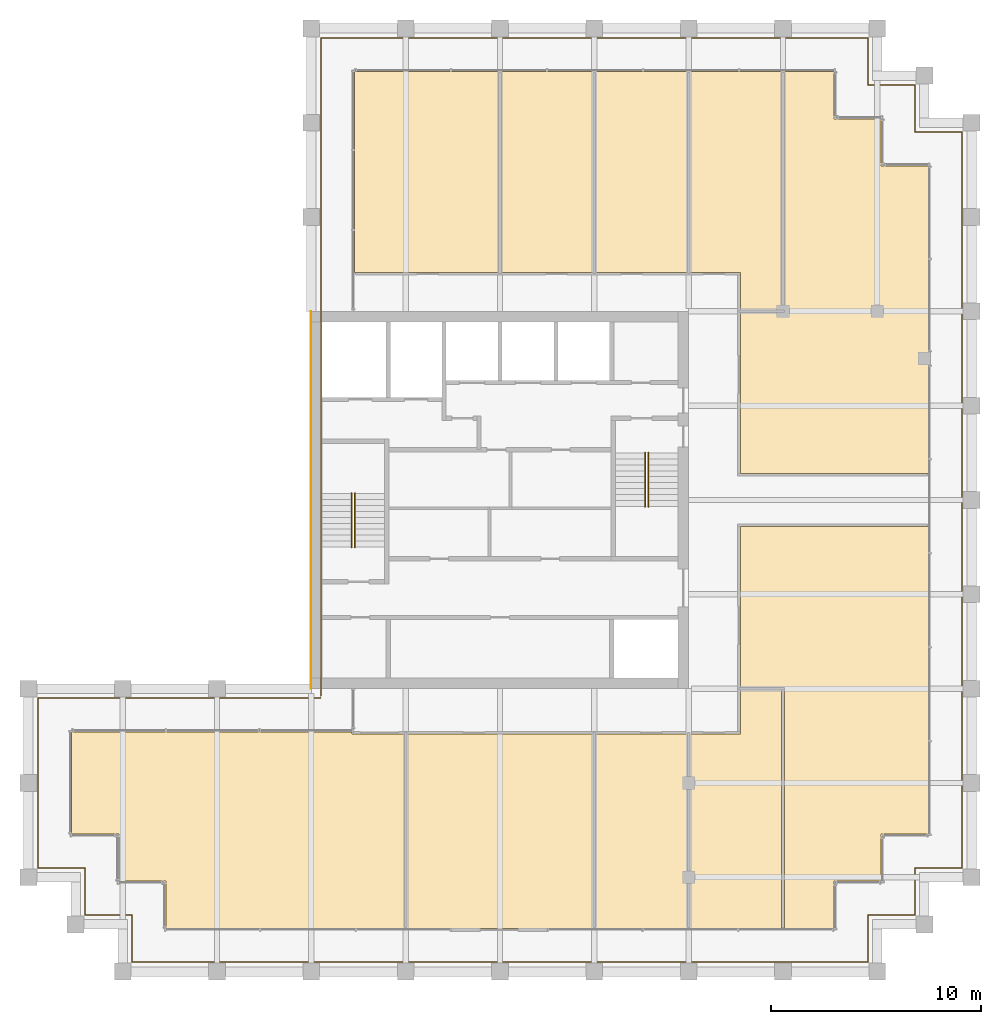
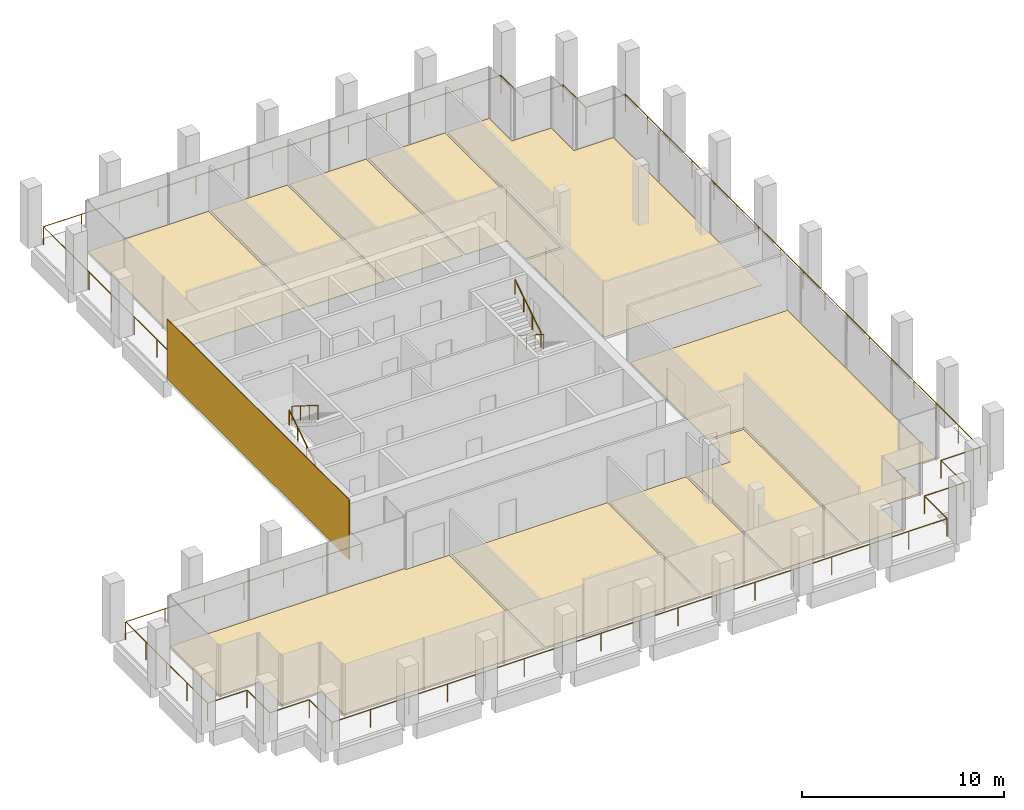
# One storey, part 30 of 30: 11 coverings, 5 railings.
"""IFC4 building model written with IfcOpenShell, lengths in metres."""

from ifc_helpers import new_model, si_unit, direction, frame, origin, origin_2d, place, context, subcontext, project, spatial, polyline, rectangle, circle, outline, extrude, source, transform, mapped, material, layer, layer_set, type_object, element, save


model = new_model("IFC4")

# Units and contexts
model_context = context("Model", 3, precision=1e-05, world=origin(), true_north=direction((0.0, 1.0)))
body_context = subcontext(model_context, "Body", "Model", "MODEL_VIEW")
ifc_project = project(units=[si_unit("LENGTHUNIT", "METRE"), si_unit("AREAUNIT", "SQUARE_METRE"), si_unit("VOLUMEUNIT", "CUBIC_METRE"), si_unit("PLANEANGLEUNIT", "RADIAN"), si_unit("MASSUNIT", "GRAM", prefix="KILO")], contexts=[model_context])

# Site, building, storey
site_placement = place(None, origin())
site = spatial("IfcSite", under=ifc_project, at=site_placement, CompositionType="ELEMENT")
building_placement = place(site_placement, origin())
building = spatial("IfcBuilding", under=site, at=building_placement, Name="Altepetl Exchange Towers", CompositionType="ELEMENT")
storey_placement = place(building_placement, frame((0.0, 0.0, 220.800048828125)))
storey = spatial("IfcBuildingStorey", under=building, at=storey_placement, Name="L56", CompositionType="ELEMENT", Elevation=220.800048828125)

# Coverings
ifc_material_1 = material(Name="Carpet tile")
ifc_layer_1 = layer(ifc_material_1, 0.02001953125)
ifc_layer_set_1 = layer_set([ifc_layer_1], Name="Carpet tile")
covering_type_1 = type_object("IfcCoveringType", Name="Carpet tile floor", PredefinedType="FLOORING", material=ifc_layer_set_1)
covering_1_placement = place(storey_placement, origin())
element("IfcCovering", 1, at=covering_1_placement, inside=storey, type_object=covering_type_1, Name="Fund office floor finish A56.01", PredefinedType="FLOORING", context=body_context, shape_type="SweptSolid", body=[
    extrude(outline(polyline([(33.5625, 29.0625), (44.9375, 29.0625), (44.9375, 38.33740234375), (42.4375, 38.33740234375), (42.4375, 38.4375), (29.0625, 38.4375), (29.0625, 33.5625), (31.3125, 33.5625), (31.3125, 31.3125), (33.5625, 31.3125), (33.5625, 29.0625)])), origin(), (0.0, 0.0, 1.0), 0.02001953125),
])
covering_2_placement = place(storey_placement, origin())
element("IfcCovering", 2, at=covering_2_placement, inside=storey, type_object=covering_type_1, Name="Pantry floor finish A56.03", PredefinedType="FLOORING", context=body_context, shape_type="SweptSolid", body=[
    extrude(outline(polyline([(58.4375, 29.0625), (58.4375, 38.33740234375), (54.0625, 38.33740234375), (54.0625, 29.0625), (58.4375, 29.0625)])), origin(), (0.0, 0.0, 1.0), 0.02001953125),
])
covering_3_placement = place(storey_placement, origin())
element("IfcCovering", 3, at=covering_3_placement, inside=storey, type_object=covering_type_1, Name="Fund office floor finish A56.06", PredefinedType="FLOORING", context=body_context, shape_type="SweptSolid", body=[
    extrude(outline(polyline([(60.96240234375, 50.762451171875), (69.9375, 50.762451171875), (69.9375, 65.4375), (67.6875, 65.4375), (67.6875, 67.6875), (65.4375, 67.6875), (65.4375, 69.9375), (63.0625, 69.9375), (63.0625, 58.4375), (60.96240234375, 58.4375), (60.96240234375, 50.762451171875)])), origin(), (0.0, 0.0, 1.0), 0.02001953125),
])
covering_4_placement = place(storey_placement, origin())
element("IfcCovering", 4, at=covering_4_placement, inside=storey, type_object=covering_type_1, Name="Training room floor finish A56.07", PredefinedType="FLOORING", context=body_context, shape_type="SweptSolid", body=[
    extrude(outline(polyline([(60.96240234375, 58.5625), (62.9375, 58.5625), (62.9375, 69.9375), (58.5625, 69.9375), (58.5625, 60.362548828125), (60.96240234375, 60.362548828125), (60.96240234375, 58.5625)])), origin(), (0.0, 0.0, 1.0), 0.02001953125),
])
covering_5_placement = place(storey_placement, origin())
element("IfcCovering", 5, at=covering_5_placement, inside=storey, type_object=covering_type_1, Name="Meeting room floor finish A56.08", PredefinedType="FLOORING", context=body_context, shape_type="SweptSolid", body=[
    extrude(outline(polyline([(58.4375, 60.362548828125), (58.4375, 69.9375), (54.0625, 69.9375), (54.0625, 60.362548828125), (58.4375, 60.362548828125)])), origin(), (0.0, 0.0, 1.0), 0.02001953125),
])
covering_6_placement = place(storey_placement, origin())
element("IfcCovering", 6, at=covering_6_placement, inside=storey, type_object=covering_type_1, Name="Conference room floor finish A56.10", PredefinedType="FLOORING", context=body_context, shape_type="SweptSolid", body=[
    extrude(outline(polyline([(49.4375, 60.362548828125), (49.4375, 69.9375), (42.5625, 69.9375), (42.5625, 60.362548828125), (49.4375, 60.362548828125)])), origin(), (0.0, 0.0, 1.0), 0.02001953125),
])
ifc_material_2 = material(Name="Cantera stone", Category="masonry")
ifc_layer_2 = layer(ifc_material_2, 0.030029296875)
ifc_layer_set_2 = layer_set([ifc_layer_2], Name="Cantera stone")
covering_type_2 = type_object("IfcCoveringType", Name="Polished stone floor", PredefinedType="FLOORING", material=ifc_layer_set_2)
covering_7_placement = place(storey_placement, origin())
element("IfcCovering", 7, at=covering_7_placement, inside=storey, type_object=covering_type_2, Name="Staff club floor finish A56.02", PredefinedType="FLOORING", context=body_context, shape_type="SweptSolid", body=[
    extrude(outline(polyline([(53.9375, 29.0625), (53.9375, 38.33740234375), (45.0625, 38.33740234375), (45.0625, 29.0625), (53.9375, 29.0625)])), origin(), (0.0, 0.0, 1.0), 0.030029296875),
])
covering_8_placement = place(storey_placement, origin())
element("IfcCovering", 8, at=covering_8_placement, inside=storey, type_object=covering_type_2, Name="Boardroom floor finish A56.04", PredefinedType="FLOORING", context=body_context, shape_type="SweptSolid", body=[
    extrude(outline(polyline([(62.9375, 29.0625), (62.9375, 40.4375), (60.96240234375, 40.4375), (60.96240234375, 38.33740234375), (58.5625, 38.33740234375), (58.5625, 29.0625), (62.9375, 29.0625)])), origin(), (0.0, 0.0, 1.0), 0.030029296875),
])
covering_9_placement = place(storey_placement, origin())
element("IfcCovering", 9, at=covering_9_placement, inside=storey, type_object=covering_type_2, Name="Cafe floor finish A56.05", PredefinedType="FLOORING", context=body_context, shape_type="SweptSolid", body=[
    extrude(outline(polyline([(67.6875, 31.3125), (67.6875, 33.5625), (69.9375, 33.5625), (69.9375, 48.237548828125), (60.96240234375, 48.237548828125), (60.96240234375, 40.5625), (63.0625, 40.5625), (63.0625, 29.0625), (65.4375, 29.0625), (65.4375, 31.3125), (67.6875, 31.3125)])), origin(), (0.0, 0.0, 1.0), 0.030029296875),
])
covering_10_placement = place(storey_placement, origin())
element("IfcCovering", 10, at=covering_10_placement, inside=storey, type_object=covering_type_2, Name="Lounge floor finish A56.09", PredefinedType="FLOORING", context=body_context, shape_type="SweptSolid", body=[
    extrude(outline(polyline([(53.9375, 60.362548828125), (53.9375, 69.9375), (49.5625, 69.9375), (49.5625, 60.362548828125), (53.9375, 60.362548828125)])), origin(), (0.0, 0.0, 1.0), 0.030029296875),
])
ifc_material_3 = material(Name="Cantera limestone cladding", Category="masonry")
ifc_layer_3 = layer(ifc_material_3, 0.0400390625)
ifc_layer_set_3 = layer_set([ifc_layer_3], Name="Cantera limestone cladding")
covering_type_3 = type_object("IfcCoveringType", Name="Stone panel 40 cantera", PredefinedType="CLADDING", material=ifc_layer_set_3)
covering_11_placement = place(storey_placement, frame((40.47998046875, 49.5, 0.0), z_axis=(0.0, 0.0, 1.0), x_axis=(0.0, -1.0, 0.0)))
element("IfcCovering", 11, at=covering_11_placement, inside=storey, type_object=covering_type_3, Name="Stone cladding panel", PredefinedType="CLADDING", context=body_context, shape_type="SweptSolid", body=[
    extrude(rectangle(XDim=18.0, YDim=0.0400390625, at=origin_2d()), origin(), (0.0, 0.0, 1.0), 3.60009765625),
])

# Railings
ifc_material_4 = material(Name="Steel S355", Category="steel")
railing_type_1 = type_object("IfcRailingType", Name="Guard 1100 steel posts and rail", PredefinedType="GUARDRAIL", material=ifc_material_4)
shared_shape_1 = source(origin(), body_context, "Body", "SweptSolid", [
    extrude(circle(Radius=0.02099609375, at=origin_2d()), origin(), (0.0, 0.0, 1.0), 1.052001953125),
])
railing_1_placement = place(storey_placement, frame((40.949951171875, 40.050048828125, 0.0)))
element("IfcRailing", 12, at=railing_1_placement, inside=storey, type_object=railing_type_1, Name="Loggia guard", PredefinedType="GUARDRAIL", context=body_context, shape_type="SweptSolid", body=[
    extrude(circle(Radius=0.02392578125, at=origin_2d()), frame((0.0, 0.0, 1.076171875), z_axis=(-1.0, 0.0, 0.0), x_axis=(0.0, -1.0, 0.0)), (0.0, 0.0, 1.0), 13.5),
    extrude(circle(Radius=0.02392578125, at=origin_2d()), frame((-13.5, 0.0, 1.076171875), z_axis=(0.0, -1.0, 0.0), x_axis=(1.0, 0.0, 0.0)), (0.0, 0.0, 1.0), 8.10009765625),
    extrude(circle(Radius=0.02392578125, at=origin_2d()), frame((-13.5, -8.10009765625, 1.076171875), z_axis=(1.0, 0.0, 0.0), x_axis=(0.0, 1.0, 0.0)), (0.0, 0.0, 1.0), 2.25),
    extrude(circle(Radius=0.02392578125, at=origin_2d()), frame((-11.25, -8.10009765625, 1.076171875), z_axis=(0.0, -1.0, 0.0), x_axis=(1.0, 0.0, 0.0)), (0.0, 0.0, 1.0), 2.25),
    extrude(circle(Radius=0.02392578125, at=origin_2d()), frame((-11.25, -10.35009765625, 1.076171875), z_axis=(1.0, 0.0, 0.0), x_axis=(0.0, 1.0, 0.0)), (0.0, 0.0, 1.0), 2.25),
    extrude(circle(Radius=0.02392578125, at=origin_2d()), frame((-9.0, -10.35009765625, 1.076171875), z_axis=(0.0, -1.0, 0.0), x_axis=(1.0, 0.0, 0.0)), (0.0, 0.0, 1.0), 2.25),
    extrude(circle(Radius=0.02392578125, at=origin_2d()), frame((-9.0, -12.60009765625, 1.076171875), z_axis=(1.0, 0.0, 0.0), x_axis=(0.0, 1.0, 0.0)), (0.0, 0.0, 1.0), 35.10009765625),
    extrude(circle(Radius=0.02392578125, at=origin_2d()), frame((26.10009765625, -12.60009765625, 1.076171875), z_axis=(0.0, 1.0, 0.0), x_axis=(-1.0, 0.0, 0.0)), (0.0, 0.0, 1.0), 2.25),
    extrude(circle(Radius=0.02392578125, at=origin_2d()), frame((26.10009765625, -10.35009765625, 1.076171875), z_axis=(1.0, 0.0, 0.0), x_axis=(0.0, 1.0, 0.0)), (0.0, 0.0, 1.0), 2.25),
    extrude(circle(Radius=0.02392578125, at=origin_2d()), frame((28.35009765625, -10.35009765625, 1.076171875), z_axis=(0.0, 1.0, 0.0), x_axis=(-1.0, 0.0, 0.0)), (0.0, 0.0, 1.0), 2.25),
    extrude(circle(Radius=0.02392578125, at=origin_2d()), frame((28.35009765625, -8.10009765625, 1.076171875), z_axis=(1.0, 0.0, 0.0), x_axis=(0.0, 1.0, 0.0)), (0.0, 0.0, 1.0), 2.25),
    extrude(circle(Radius=0.02392578125, at=origin_2d()), frame((30.60009765625, -8.10009765625, 1.076171875), z_axis=(0.0, 1.0, 0.0), x_axis=(-1.0, 0.0, 0.0)), (0.0, 0.0, 1.0), 35.10009765625),
    extrude(circle(Radius=0.02392578125, at=origin_2d()), frame((30.60009765625, 27.0, 1.076171875), z_axis=(-1.0, 0.0, 0.0), x_axis=(0.0, -1.0, 0.0)), (0.0, 0.0, 1.0), 2.25),
    extrude(circle(Radius=0.02392578125, at=origin_2d()), frame((28.35009765625, 27.0, 1.076171875), z_axis=(0.0, 1.0, 0.0), x_axis=(-1.0, 0.0, 0.0)), (0.0, 0.0, 1.0), 2.25),
    extrude(circle(Radius=0.02392578125, at=origin_2d()), frame((28.35009765625, 29.25, 1.076171875), z_axis=(-1.0, 0.0, 0.0), x_axis=(0.0, -1.0, 0.0)), (0.0, 0.0, 1.0), 2.25),
    extrude(circle(Radius=0.02392578125, at=origin_2d()), frame((26.10009765625, 29.25, 1.076171875), z_axis=(0.0, 1.0, 0.0), x_axis=(-1.0, 0.0, 0.0)), (0.0, 0.0, 1.0), 2.25),
    extrude(circle(Radius=0.02392578125, at=origin_2d()), frame((26.10009765625, 31.5, 1.076171875), z_axis=(-1.0, 0.0, 0.0), x_axis=(0.0, -1.0, 0.0)), (0.0, 0.0, 1.0), 26.10009765625),
    extrude(circle(Radius=0.02392578125, at=origin_2d()), frame((0.0, 31.5, 1.076171875), z_axis=(0.0, -1.0, 0.0), x_axis=(1.0, 0.0, 0.0)), (0.0, 0.0, 1.0), 31.400146484375),
    mapped(shared_shape_1, transform((0.0, 0.0, 0.0))),
    mapped(shared_shape_1, transform((-2.25, 0.0, 0.0))),
    mapped(shared_shape_1, transform((-4.5, 0.0, 0.0))),
    mapped(shared_shape_1, transform((-6.75, 0.0, 0.0))),
    mapped(shared_shape_1, transform((-9.0, 0.0, 0.0))),
    mapped(shared_shape_1, transform((-11.25, 0.0, 0.0))),
    mapped(shared_shape_1, transform((-13.5, 0.0, 0.0))),
    mapped(shared_shape_1, transform((-13.5, -2.02490234375, 0.0))),
    mapped(shared_shape_1, transform((-13.5, -4.050048828125, 0.0))),
    mapped(shared_shape_1, transform((-13.5, -6.0751953125, 0.0))),
    mapped(shared_shape_1, transform((-13.5, -8.10009765625, 0.0))),
    mapped(shared_shape_1, transform((-11.25, -8.10009765625, 0.0))),
    mapped(shared_shape_1, transform((-11.25, -10.35009765625, 0.0))),
    mapped(shared_shape_1, transform((-9.0, -10.35009765625, 0.0))),
    mapped(shared_shape_1, transform((-9.0, -12.60009765625, 0.0))),
    mapped(shared_shape_1, transform((-6.80615234375, -12.60009765625, 0.0))),
    mapped(shared_shape_1, transform((-4.612548828125, -12.60009765625, 0.0))),
    mapped(shared_shape_1, transform((-2.418701171875, -12.60009765625, 0.0))),
    mapped(shared_shape_1, transform((-0.22509765625, -12.60009765625, 0.0))),
    mapped(shared_shape_1, transform((1.96875, -12.60009765625, 0.0))),
    mapped(shared_shape_1, transform((4.16259765625, -12.60009765625, 0.0))),
    mapped(shared_shape_1, transform((6.356201171875, -12.60009765625, 0.0))),
    mapped(shared_shape_1, transform((8.550048828125, -12.60009765625, 0.0))),
    mapped(shared_shape_1, transform((10.743896484375, -12.60009765625, 0.0))),
    mapped(shared_shape_1, transform((12.9375, -12.60009765625, 0.0))),
    mapped(shared_shape_1, transform((15.13134765625, -12.60009765625, 0.0))),
    mapped(shared_shape_1, transform((17.3251953125, -12.60009765625, 0.0))),
    mapped(shared_shape_1, transform((19.518798828125, -12.60009765625, 0.0))),
    mapped(shared_shape_1, transform((21.712646484375, -12.60009765625, 0.0))),
    mapped(shared_shape_1, transform((23.90625, -12.60009765625, 0.0))),
    mapped(shared_shape_1, transform((26.10009765625, -12.60009765625, 0.0))),
    mapped(shared_shape_1, transform((26.10009765625, -10.35009765625, 0.0))),
    mapped(shared_shape_1, transform((28.35009765625, -10.35009765625, 0.0))),
    mapped(shared_shape_1, transform((28.35009765625, -8.10009765625, 0.0))),
    mapped(shared_shape_1, transform((30.60009765625, -8.10009765625, 0.0))),
    mapped(shared_shape_1, transform((30.60009765625, -5.90625, 0.0))),
    mapped(shared_shape_1, transform((30.60009765625, -3.712646484375, 0.0))),
    mapped(shared_shape_1, transform((30.60009765625, -1.518798828125, 0.0))),
    mapped(shared_shape_1, transform((30.60009765625, 0.6748046875, 0.0))),
    mapped(shared_shape_1, transform((30.60009765625, 2.86865234375, 0.0))),
    mapped(shared_shape_1, transform((30.60009765625, 5.0625, 0.0))),
    mapped(shared_shape_1, transform((30.60009765625, 7.256103515625, 0.0))),
    mapped(shared_shape_1, transform((30.60009765625, 9.449951171875, 0.0))),
    mapped(shared_shape_1, transform((30.60009765625, 11.643798828125, 0.0))),
    mapped(shared_shape_1, transform((30.60009765625, 13.83740234375, 0.0))),
    mapped(shared_shape_1, transform((30.60009765625, 16.03125, 0.0))),
    mapped(shared_shape_1, transform((30.60009765625, 18.22509765625, 0.0))),
    mapped(shared_shape_1, transform((30.60009765625, 20.418701171875, 0.0))),
    mapped(shared_shape_1, transform((30.60009765625, 22.612548828125, 0.0))),
    mapped(shared_shape_1, transform((30.60009765625, 24.80615234375, 0.0))),
    mapped(shared_shape_1, transform((30.60009765625, 27.0, 0.0))),
    mapped(shared_shape_1, transform((28.35009765625, 27.0, 0.0))),
    mapped(shared_shape_1, transform((28.35009765625, 29.25, 0.0))),
    mapped(shared_shape_1, transform((26.10009765625, 29.25, 0.0))),
    mapped(shared_shape_1, transform((26.10009765625, 31.5, 0.0))),
    mapped(shared_shape_1, transform((23.925048828125, 31.5, 0.0))),
    mapped(shared_shape_1, transform((21.75, 31.5, 0.0))),
    mapped(shared_shape_1, transform((19.5751953125, 31.5, 0.0))),
    mapped(shared_shape_1, transform((17.400146484375, 31.5, 0.0))),
    mapped(shared_shape_1, transform((15.22509765625, 31.5, 0.0))),
    mapped(shared_shape_1, transform((13.050048828125, 31.5, 0.0))),
    mapped(shared_shape_1, transform((10.875, 31.5, 0.0))),
    mapped(shared_shape_1, transform((8.699951171875, 31.5, 0.0))),
    mapped(shared_shape_1, transform((6.52490234375, 31.5, 0.0))),
    mapped(shared_shape_1, transform((4.35009765625, 31.5, 0.0))),
    mapped(shared_shape_1, transform((2.175048828125, 31.5, 0.0))),
    mapped(shared_shape_1, transform((0.0, 31.5, 0.0))),
    mapped(shared_shape_1, transform((0.0, 29.257080078125, 0.0))),
    mapped(shared_shape_1, transform((0.0, 27.01416015625, 0.0))),
    mapped(shared_shape_1, transform((0.0, 24.771484375, 0.0))),
    mapped(shared_shape_1, transform((0.0, 22.528564453125, 0.0))),
    mapped(shared_shape_1, transform((0.0, 20.28564453125, 0.0))),
    mapped(shared_shape_1, transform((0.0, 18.042724609375, 0.0))),
    mapped(shared_shape_1, transform((0.0, 15.7998046875, 0.0))),
    mapped(shared_shape_1, transform((0.0, 13.55712890625, 0.0))),
    mapped(shared_shape_1, transform((0.0, 11.314208984375, 0.0))),
    mapped(shared_shape_1, transform((0.0, 9.0712890625, 0.0))),
    mapped(shared_shape_1, transform((0.0, 6.828369140625, 0.0))),
    mapped(shared_shape_1, transform((0.0, 4.585693359375, 0.0))),
    mapped(shared_shape_1, transform((0.0, 2.3427734375, 0.0))),
    mapped(shared_shape_1, transform((0.0, 0.099853515625, 0.0))),
])
ifc_material_5 = material(Name="Steel", Category="steel")
railing_type_2 = type_object("IfcRailingType", Name="Stair handrail 50 steel tube", PredefinedType="HANDRAIL", material=ifc_material_5)
shared_shape_2 = source(origin(), body_context, "Body", "SweptSolid", [
    extrude(circle(Radius=0.02099609375, at=origin_2d()), origin(), (0.0, 0.0, 1.0), 0.851806640625),
])
railing_2_placement = place(storey_placement, frame((42.419921875, 47.25, 0.179931640625)))
element("IfcRailing", 13, at=railing_2_placement, inside=storey, type_object=railing_type_2, Name="Stair handrail", PredefinedType="HANDRAIL", context=body_context, shape_type="SweptSolid", body=[
    extrude(circle(Radius=0.02392578125, at=origin_2d()), frame((0.0, 0.0, 0.8759765625), z_axis=(0.0, 0.845465955043, 0.534029323973), x_axis=(-1.0, 0.0, 0.0)), (0.0, 0.0, 1.0), 3.03369140625),
    mapped(shared_shape_2, transform((0.0, 0.0, 0.0))),
    mapped(shared_shape_2, transform((0.0, 0.85498046875, 0.5400390625))),
    mapped(shared_shape_2, transform((0.0, 1.7099609375, 1.080078125))),
    mapped(shared_shape_2, transform((0.0, 2.56494140625, 1.6201171875))),
])
railing_3_placement = place(storey_placement, frame((42.580078125, 49.81494140625, 1.97998046875)))
element("IfcRailing", 14, at=railing_3_placement, inside=storey, type_object=railing_type_2, Name="Stair handrail", PredefinedType="HANDRAIL", context=body_context, shape_type="SweptSolid", body=[
    extrude(circle(Radius=0.02392578125, at=origin_2d()), frame((0.0, 0.0, 0.8759765625), z_axis=(0.0, -0.845502289212, 0.533971796014), x_axis=(1.0, 0.0, 0.0)), (0.0, 0.0, 1.0), 3.03369140625),
    mapped(shared_shape_2, transform((0.0, 0.0, 0.0))),
    mapped(shared_shape_2, transform((0.0, -0.85498046875, 0.5400390625))),
    mapped(shared_shape_2, transform((0.0, -1.7099609375, 1.079833984375))),
    mapped(shared_shape_2, transform((0.0, -2.56494140625, 1.619873046875))),
])
railing_4_placement = place(storey_placement, frame((56.580078125, 51.75, 0.179931640625)))
element("IfcRailing", 15, at=railing_4_placement, inside=storey, type_object=railing_type_2, Name="Stair handrail", PredefinedType="HANDRAIL", context=body_context, shape_type="SweptSolid", body=[
    extrude(circle(Radius=0.02392578125, at=origin_2d()), frame((0.0, 0.0, 0.8759765625), z_axis=(0.0, -0.845465955043, 0.534029323973), x_axis=(1.0, 0.0, 0.0)), (0.0, 0.0, 1.0), 3.03369140625),
    mapped(shared_shape_2, transform((0.0, 0.0, 0.0))),
    mapped(shared_shape_2, transform((0.0, -0.85498046875, 0.5400390625))),
    mapped(shared_shape_2, transform((0.0, -1.7099609375, 1.080078125))),
    mapped(shared_shape_2, transform((0.0, -2.56494140625, 1.6201171875))),
])
railing_5_placement = place(storey_placement, frame((56.419921875, 49.18505859375, 1.97998046875)))
element("IfcRailing", 16, at=railing_5_placement, inside=storey, type_object=railing_type_2, Name="Stair handrail", PredefinedType="HANDRAIL", context=body_context, shape_type="SweptSolid", body=[
    extrude(circle(Radius=0.02392578125, at=origin_2d()), frame((0.0, 0.0, 0.8759765625), z_axis=(0.0, 0.845502289212, 0.533971796014), x_axis=(-1.0, 0.0, 0.0)), (0.0, 0.0, 1.0), 3.03369140625),
    mapped(shared_shape_2, transform((0.0, 0.0, 0.0))),
    mapped(shared_shape_2, transform((0.0, 0.85498046875, 0.5400390625))),
    mapped(shared_shape_2, transform((0.0, 1.7099609375, 1.079833984375))),
    mapped(shared_shape_2, transform((0.0, 2.56494140625, 1.619873046875))),
])

save(model, "model.ifc")
